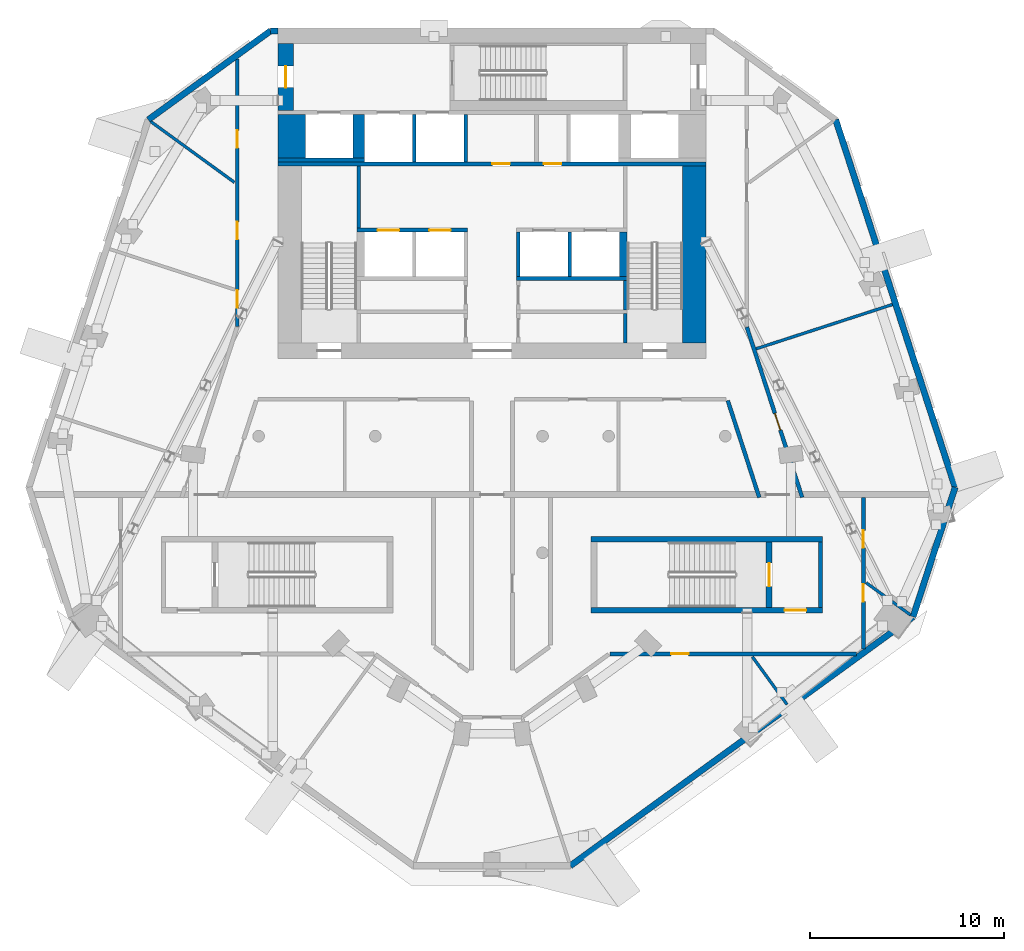
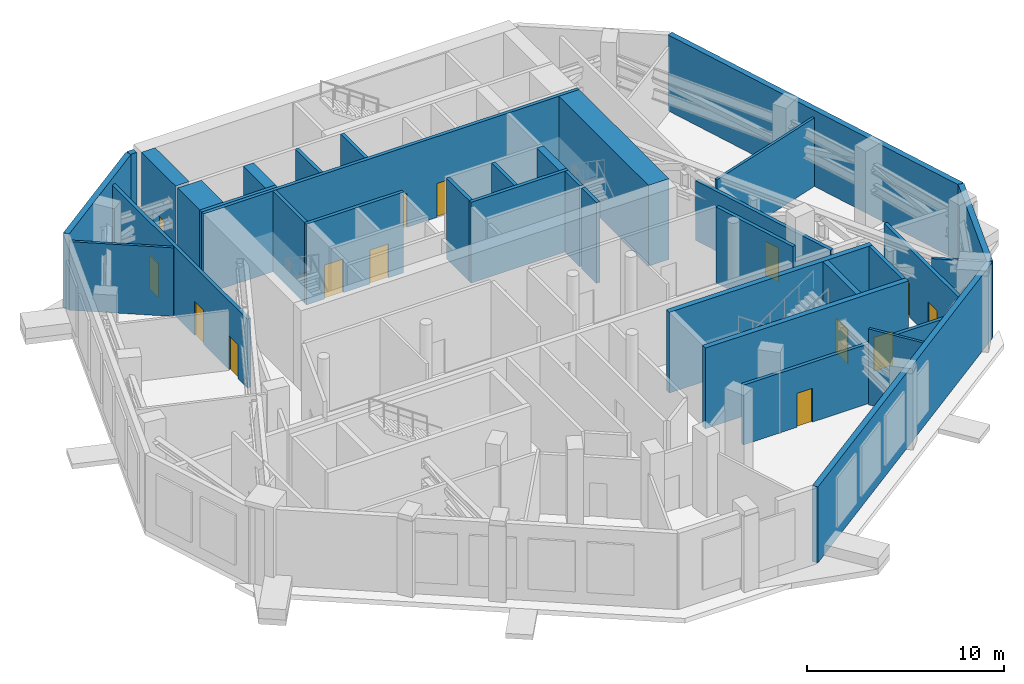
# One storey, part 9 of 16: 34 walls, 14 doors, 14 openings.
"""IFC4 building model written with IfcOpenShell, lengths in metres."""

from ifc_helpers import new_model, si_unit, direction, frame, frame_2d, origin, place, context, subcontext, project, spatial, rectangle, extrude, material, layer, layer_set, type_object, element, fill, save


model = new_model("IFC4")

# Units and contexts
model_context = context("Model", 3, precision=1e-05, world=origin(), true_north=direction((0.0, 1.0)))
body_context = subcontext(model_context, "Body", "Model", "MODEL_VIEW")
ifc_project = project(units=[si_unit("LENGTHUNIT", "METRE"), si_unit("AREAUNIT", "SQUARE_METRE"), si_unit("VOLUMEUNIT", "CUBIC_METRE"), si_unit("PLANEANGLEUNIT", "RADIAN"), si_unit("MASSUNIT", "GRAM", prefix="KILO")], contexts=[model_context])

# Site, building, storey
site_placement = place(None, origin())
site = spatial("IfcSite", under=ifc_project, at=site_placement, CompositionType="ELEMENT")
building_placement = place(site_placement, origin())
building = spatial("IfcBuilding", under=site, at=building_placement, Name="White Candle Pilgrim Tower", CompositionType="ELEMENT")
storey_placement = place(building_placement, frame((0.0, 0.0, 243.300048828125)))
storey = spatial("IfcBuildingStorey", under=building, at=storey_placement, Name="L57", CompositionType="ELEMENT", Elevation=243.300048828125)

# Walls
ifc_material_1 = material(Name="Concrete C50/60", Category="concrete")
ifc_layer_1 = layer(ifc_material_1, 1.39990234375)
ifc_layer_set_1 = layer_set([ifc_layer_1], Name="Core wall 1400 mm Concrete C50/60")
wall_type_1 = type_object("IfcWallType", Name="Core wall 1400 mm Concrete C50/60", PredefinedType="SHEAR", material=ifc_layer_set_1)
wall_1_placement = place(storey_placement, frame((59.699951171875, 81.300048828125, 0.0), z_axis=(0.0, 0.0, 1.0), x_axis=(0.0, 1.0, 0.0)))
element("IfcWall", 1, at=wall_1_placement, inside=storey, type_object=wall_type_1, Name="WL-L57-C43", PredefinedType="SHEAR", context=body_context, shape_type="SweptSolid", body=[
    extrude(rectangle(XDim=2.25, YDim=1.39990234375, at=frame_2d((1.125, 0.0))), origin(), (0.0, 0.0, 1.0), 5.0),
])
ifc_layer_2 = layer(ifc_material_1, 0.199951171875)
ifc_layer_set_2 = layer_set([ifc_layer_2], Name="Core wall 200 mm Concrete C50/60")
wall_type_2 = type_object("IfcWallType", Name="Core wall 200 mm Concrete C50/60", PredefinedType="SHEAR", material=ifc_layer_set_2)
wall_2_placement = place(storey_placement, frame((86.89990234375, 58.199951171875, 0.0), z_axis=(0.0, 0.0, 1.0), x_axis=(0.0, 1.0, 0.0)))
element("IfcWall", 2, at=wall_2_placement, inside=storey, type_object=wall_type_2, Name="WL-L57-C08", PredefinedType="SHEAR", context=body_context, shape_type="SweptSolid", body=[
    extrude(rectangle(XDim=3.35009765625, YDim=0.199951171875, at=frame_2d((1.675048828125, 0.0))), origin(), (0.0, 0.0, 1.0), 5.0),
])
wall_3_placement = place(storey_placement, frame((59.0, 81.199951171875, 0.0), z_axis=(0.0, 0.0, 1.0), x_axis=(1.0, 0.0, 0.0)))
element("IfcWall", 3, at=wall_3_placement, inside=storey, type_object=wall_type_2, Name="WL-L57-C37", PredefinedType="SHEAR", context=body_context, shape_type="SweptSolid", body=[
    extrude(rectangle(XDim=4.449951171875, YDim=0.199951171875, at=frame_2d((2.22509765625, 0.0))), origin(), (0.0, 0.0, 1.0), 5.0),
])

# Wall, opening, door
ifc_layer_3 = layer(ifc_material_1, 0.800048828125)
ifc_layer_set_3 = layer_set([ifc_layer_3], Name="Core wall 800 mm Concrete C50/60")
wall_type_3 = type_object("IfcWallType", Name="Core wall 800 mm Concrete C50/60", PredefinedType="SHEAR", material=ifc_layer_set_3)
wall_4_placement = place(storey_placement, frame((59.39990234375, 83.75, 0.0), z_axis=(0.0, 0.0, 1.0), x_axis=(0.0, 1.0, 0.0)))
wall_4 = element("IfcWall", 4, at=wall_4_placement, inside=storey, type_object=wall_type_3, Name="WL-L57-C48", PredefinedType="SHEAR", context=body_context, shape_type="SweptSolid", body=[
    extrude(rectangle(XDim=3.449951171875, YDim=0.800048828125, at=frame_2d((1.72509765625, 0.0))), origin(), (0.0, 0.0, 1.0), 5.0),
])
opening_1_placement = place(wall_4_placement, frame((1.175048828125, 0.0, 0.0)))
opening_1 = element("IfcOpeningElement", 5, at=opening_1_placement, cuts=wall_4, Name="Opening L57-009", PredefinedType="OPENING", context=body_context, shape_type="SweptSolid", body=[
    extrude(rectangle(XDim=1.10009765625, YDim=2.10009765625, at=frame_2d((0.550048828125, 1.050048828125))), frame((0.0, 0.409912109375, 0.0), z_axis=(0.0, -1.0, 0.0), x_axis=(1.0, 0.0, 0.0)), (0.0, 0.0, 1.0), 0.820068359375),
])
ifc_material_2 = material(Name="Steel door leaf", Category="steel")
door_type_1 = type_object("IfcDoorType", Name="Fire door 1100 x 2100 EI 60", OperationType="NOTDEFINED", PredefinedType="DOOR", material=ifc_material_2)
door_1_placement = place(opening_1_placement, origin())
door_1 = element("IfcDoor", 6, at=door_1_placement, inside=storey, type_object=door_type_1, Name="Door L57-009", OperationType="SINGLE_SWING_LEFT", OverallHeight=2.10009765625, OverallWidth=1.10009765625, PredefinedType="DOOR", context=body_context, shape_type="SweptSolid", body=[
    extrude(rectangle(XDim=1.10009765625, YDim=2.10009765625, at=frame_2d((0.550048828125, 1.050048828125))), frame((0.0, 0.02490234375, 0.0), z_axis=(0.0, -1.0, 0.0), x_axis=(1.0, 0.0, 0.0)), (0.0, 0.0, 1.0), 0.050048828125),
])
fill(opening_1, door_1)

# Wall, openings, doors
ifc_material_3 = material(Name="Gypsum board on steel studs", Category="steel")
ifc_layer_4 = layer(ifc_material_3, 0.199951171875)
ifc_layer_set_4 = layer_set([ifc_layer_4], Name="Corridor wall 200 mm EI 45")
wall_type_4 = type_object("IfcWallType", Name="Corridor wall 200 mm EI 45", PredefinedType="PARTITIONING", material=ifc_layer_set_4)
wall_5_placement = place(storey_placement, frame((56.89990234375, 72.640869140625, 0.0), z_axis=(0.0, 0.0, 1.0), x_axis=(0.0, 1.0, 0.0)))
wall_5 = element("IfcWall", 7, at=wall_5_placement, inside=storey, type_object=wall_type_4, Name="WL-L57-P003", PredefinedType="PARTITIONING", context=body_context, shape_type="SweptSolid", body=[
    extrude(rectangle(XDim=13.75537109375, YDim=0.199951171875, at=frame_2d((6.877685546875, 0.0))), origin(), (0.0, 0.0, 1.0), 4.25),
])
opening_2_placement = place(wall_5_placement, frame((0.9755859375, 0.0, 0.0)))
opening_2 = element("IfcOpeningElement", 8, at=opening_2_placement, cuts=wall_5, Name="Opening L57-112", PredefinedType="OPENING", context=body_context, shape_type="SweptSolid", body=[
    extrude(rectangle(XDim=0.89990234375, YDim=2.10009765625, at=frame_2d((0.449951171875, 1.050048828125))), frame((0.0, 0.10986328125, 0.0), z_axis=(0.0, -1.0, 0.0), x_axis=(1.0, 0.0, 0.0)), (0.0, 0.0, 1.0), 0.219970703125),
])
opening_3_placement = place(wall_5_placement, frame((4.476318359375, 0.0, 0.0)))
opening_3 = element("IfcOpeningElement", 9, at=opening_3_placement, cuts=wall_5, Name="Opening L57-113", PredefinedType="OPENING", context=body_context, shape_type="SweptSolid", body=[
    extrude(rectangle(XDim=0.89990234375, YDim=2.10009765625, at=frame_2d((0.449951171875, 1.050048828125))), frame((0.0, 0.10986328125, 0.0), z_axis=(0.0, -1.0, 0.0), x_axis=(1.0, 0.0, 0.0)), (0.0, 0.0, 1.0), 0.219970703125),
])
opening_4_placement = place(wall_5_placement, frame((9.1787109375, 0.0, 0.0)))
opening_4 = element("IfcOpeningElement", 10, at=opening_4_placement, cuts=wall_5, Name="Opening L57-114", PredefinedType="OPENING", context=body_context, shape_type="SweptSolid", body=[
    extrude(rectangle(XDim=0.89990234375, YDim=2.10009765625, at=frame_2d((0.449951171875, 1.050048828125))), frame((0.0, 0.10986328125, 0.0), z_axis=(0.0, -1.0, 0.0), x_axis=(1.0, 0.0, 0.0)), (0.0, 0.0, 1.0), 0.219970703125),
])
door_type_2 = type_object("IfcDoorType", Name="Fire door 900 x 2100 EI 30", OperationType="NOTDEFINED", PredefinedType="DOOR", material=ifc_material_2)
door_2_placement = place(opening_2_placement, origin())
door_2 = element("IfcDoor", 11, at=door_2_placement, inside=storey, type_object=door_type_2, Name="Door L57-112", OperationType="SINGLE_SWING_RIGHT", OverallHeight=2.10009765625, OverallWidth=0.89990234375, PredefinedType="DOOR", context=body_context, shape_type="SweptSolid", body=[
    extrude(rectangle(XDim=0.89990234375, YDim=2.10009765625, at=frame_2d((0.449951171875, 1.050048828125))), frame((0.0, 0.02490234375, 0.0), z_axis=(0.0, -1.0, 0.0), x_axis=(1.0, 0.0, 0.0)), (0.0, 0.0, 1.0), 0.050048828125),
])
fill(opening_2, door_2)
door_3_placement = place(opening_3_placement, origin())
door_3 = element("IfcDoor", 12, at=door_3_placement, inside=storey, type_object=door_type_2, Name="Door L57-113", OperationType="SINGLE_SWING_LEFT", OverallHeight=2.10009765625, OverallWidth=0.89990234375, PredefinedType="DOOR", context=body_context, shape_type="SweptSolid", body=[
    extrude(rectangle(XDim=0.89990234375, YDim=2.10009765625, at=frame_2d((0.449951171875, 1.050048828125))), frame((0.0, 0.02490234375, 0.0), z_axis=(0.0, -1.0, 0.0), x_axis=(1.0, 0.0, 0.0)), (0.0, 0.0, 1.0), 0.050048828125),
])
fill(opening_3, door_3)
door_4_placement = place(opening_4_placement, origin())
door_4 = element("IfcDoor", 13, at=door_4_placement, inside=storey, type_object=door_type_2, Name="Door L57-114", OperationType="SINGLE_SWING_RIGHT", OverallHeight=2.10009765625, OverallWidth=0.89990234375, PredefinedType="DOOR", context=body_context, shape_type="SweptSolid", body=[
    extrude(rectangle(XDim=0.89990234375, YDim=2.10009765625, at=frame_2d((0.449951171875, 1.050048828125))), frame((0.0, 0.02490234375, 0.0), z_axis=(0.0, -1.0, 0.0), x_axis=(1.0, 0.0, 0.0)), (0.0, 0.0, 1.0), 0.050048828125),
])
fill(opening_4, door_4)

# Wall, opening, door
wall_6_placement = place(storey_placement, frame((83.10498046875, 72.610107421875, 0.0), z_axis=(0.0, 0.0, 1.0), x_axis=(0.309006358617, -0.951059971997, 0.0)))
wall_6 = element("IfcWall", 14, at=wall_6_placement, inside=storey, type_object=wall_type_4, Name="WL-L57-P005", PredefinedType="PARTITIONING", context=body_context, shape_type="SweptSolid", body=[
    extrude(rectangle(XDim=9.210693359375, YDim=0.199951171875, at=frame_2d((4.60546875, 0.0))), origin(), (0.0, 0.0, 1.0), 3.699951171875),
])
opening_5_placement = place(wall_6_placement, frame((4.670654296875, 0.0, 0.0)))
opening_5 = element("IfcOpeningElement", 15, at=opening_5_placement, cuts=wall_6, Name="Opening L57-117", PredefinedType="OPENING", context=body_context, shape_type="SweptSolid", body=[
    extrude(rectangle(XDim=0.89990234375, YDim=2.10009765625, at=frame_2d((0.449951171875, 1.050048828125))), frame((0.0, 0.10986328125, 0.0), z_axis=(0.0, -1.0, 0.0), x_axis=(1.0, 0.0, 0.0)), (0.0, 0.0, 1.0), 0.219970703125),
])
door_5_placement = place(opening_5_placement, origin())
door_5 = element("IfcDoor", 16, at=door_5_placement, inside=storey, type_object=door_type_2, Name="Door L57-117", OperationType="SINGLE_SWING_LEFT", OverallHeight=2.10009765625, OverallWidth=0.89990234375, PredefinedType="DOOR", context=body_context, shape_type="SweptSolid", body=[
    extrude(rectangle(XDim=0.89990234375, YDim=2.10009765625, at=frame_2d((0.449951171875, 1.050048828125))), frame((0.0, 0.02490234375, 0.0), z_axis=(0.0, -1.0, 0.0), x_axis=(1.0, 0.0, 0.0)), (0.0, 0.0, 1.0), 0.050048828125),
])
fill(opening_5, door_5)

# Wall, openings, doors
wall_7_placement = place(storey_placement, frame((89.10009765625, 63.85009765625, 0.0), z_axis=(0.0, 0.0, 1.0), x_axis=(0.0, -1.0, 0.0)))
wall_7 = element("IfcWall", 17, at=wall_7_placement, inside=storey, type_object=wall_type_4, Name="WL-L57-P006", PredefinedType="PARTITIONING", context=body_context, shape_type="SweptSolid", body=[
    extrude(rectangle(XDim=7.7958984375, YDim=0.199951171875, at=frame_2d((3.89794921875, 0.0))), origin(), (0.0, 0.0, 1.0), 4.25),
])
opening_6_placement = place(wall_7_placement, frame((1.6923828125, 0.0, 0.0)))
opening_6 = element("IfcOpeningElement", 18, at=opening_6_placement, cuts=wall_7, Name="Opening L57-106", PredefinedType="OPENING", context=body_context, shape_type="SweptSolid", body=[
    extrude(rectangle(XDim=0.89990234375, YDim=2.10009765625, at=frame_2d((0.449951171875, 1.050048828125))), frame((0.0, 0.10986328125, 0.0), z_axis=(0.0, -1.0, 0.0), x_axis=(1.0, 0.0, 0.0)), (0.0, 0.0, 1.0), 0.219970703125),
])
opening_7_placement = place(wall_7_placement, frame((4.45703125, 0.0, 0.0)))
opening_7 = element("IfcOpeningElement", 19, at=opening_7_placement, cuts=wall_7, Name="Opening L57-118", PredefinedType="OPENING", context=body_context, shape_type="SweptSolid", body=[
    extrude(rectangle(XDim=0.89990234375, YDim=2.10009765625, at=frame_2d((0.449951171875, 1.050048828125))), frame((0.0, 0.10986328125, 0.0), z_axis=(0.0, -1.0, 0.0), x_axis=(1.0, 0.0, 0.0)), (0.0, 0.0, 1.0), 0.219970703125),
])
door_6_placement = place(opening_6_placement, origin())
door_6 = element("IfcDoor", 20, at=door_6_placement, inside=storey, type_object=door_type_2, Name="Door L57-106", OperationType="SINGLE_SWING_RIGHT", OverallHeight=2.10009765625, OverallWidth=0.89990234375, PredefinedType="DOOR", context=body_context, shape_type="SweptSolid", body=[
    extrude(rectangle(XDim=0.89990234375, YDim=2.10009765625, at=frame_2d((0.449951171875, 1.050048828125))), frame((0.0, 0.02490234375, 0.0), z_axis=(0.0, -1.0, 0.0), x_axis=(1.0, 0.0, 0.0)), (0.0, 0.0, 1.0), 0.050048828125),
])
fill(opening_6, door_6)
door_7_placement = place(opening_7_placement, origin())
door_7 = element("IfcDoor", 21, at=door_7_placement, inside=storey, type_object=door_type_2, Name="Door L57-118", OperationType="SINGLE_SWING_RIGHT", OverallHeight=2.10009765625, OverallWidth=0.89990234375, PredefinedType="DOOR", context=body_context, shape_type="SweptSolid", body=[
    extrude(rectangle(XDim=0.89990234375, YDim=2.10009765625, at=frame_2d((0.449951171875, 1.050048828125))), frame((0.0, 0.02490234375, 0.0), z_axis=(0.0, -1.0, 0.0), x_axis=(1.0, 0.0, 0.0)), (0.0, 0.0, 1.0), 0.050048828125),
])
fill(opening_7, door_7)

# Wall, opening, door
wall_8_placement = place(storey_placement, frame((88.750244140625, 55.800048828125, 0.0), z_axis=(0.0, 0.0, 1.0), x_axis=(-1.0, 0.0, 0.0)))
wall_8 = element("IfcWall", 22, at=wall_8_placement, inside=storey, type_object=wall_type_4, Name="WL-L57-P007", PredefinedType="PARTITIONING", context=body_context, shape_type="SweptSolid", body=[
    extrude(rectangle(XDim=12.693115234375, YDim=0.199951171875, at=frame_2d((6.3466796875, 0.0))), origin(), (0.0, 0.0, 1.0), 3.699951171875),
])
opening_8_placement = place(wall_8_placement, frame((8.64501953125, 0.0, 0.0)))
opening_8 = element("IfcOpeningElement", 23, at=opening_8_placement, cuts=wall_8, Name="Opening L57-105", PredefinedType="OPENING", context=body_context, shape_type="SweptSolid", body=[
    extrude(rectangle(XDim=0.89990234375, YDim=2.10009765625, at=frame_2d((0.449951171875, 1.050048828125))), frame((0.0, 0.10986328125, 0.0), z_axis=(0.0, -1.0, 0.0), x_axis=(1.0, 0.0, 0.0)), (0.0, 0.0, 1.0), 0.219970703125),
])
door_8_placement = place(opening_8_placement, origin())
door_8 = element("IfcDoor", 24, at=door_8_placement, inside=storey, type_object=door_type_2, Name="Door L57-105", OperationType="SINGLE_SWING_LEFT", OverallHeight=2.10009765625, OverallWidth=0.89990234375, PredefinedType="DOOR", context=body_context, shape_type="SweptSolid", body=[
    extrude(rectangle(XDim=0.89990234375, YDim=2.10009765625, at=frame_2d((0.449951171875, 1.050048828125))), frame((0.0, 0.02490234375, 0.0), z_axis=(0.0, -1.0, 0.0), x_axis=(1.0, 0.0, 0.0)), (0.0, 0.0, 1.0), 0.050048828125),
])
fill(opening_8, door_8)

# Walls
wall_9_placement = place(storey_placement, frame((83.7431640625, 63.85009765625, 0.0), z_axis=(0.0, 0.0, 1.0), x_axis=(-0.309030204086, 0.951052224099, 0.0)))
element("IfcWall", 25, at=wall_9_placement, inside=storey, type_object=wall_type_4, Name="WL-L57-P018", PredefinedType="PARTITIONING", context=body_context, shape_type="SweptSolid", body=[
    extrude(rectangle(XDim=5.237060546875, YDim=0.199951171875, at=frame_2d((2.61865234375, 0.0))), origin(), (0.0, 0.0, 1.0), 4.699951171875),
])
ifc_material_4 = material(Name="Precast concrete C40/50", Category="concrete")
ifc_layer_5 = layer(ifc_material_4, 0.320068359375)
ifc_layer_set_5 = layer_set([ifc_layer_5], Name="Facade wall EW2 precast concrete C40/50 plant wall behind louvres")
wall_type_5 = type_object("IfcWallType", Name="Facade wall EW2 precast concrete C40/50 plant wall behind louvres", PredefinedType="SOLIDWALL", material=ifc_layer_set_5)
wall_10_placement = place(storey_placement, frame((74.029052734375, 44.90673828125, 0.0), z_axis=(0.0, 0.0, 1.0), x_axis=(0.809019511949, 0.587781787133, 0.0)))
element("IfcWall", 26, at=wall_10_placement, inside=storey, type_object=wall_type_5, Name="Facade wall L57 SE", PredefinedType="SOLIDWALL", context=body_context, shape_type="SweptSolid", body=[
    extrude(rectangle(XDim=21.783447265625, YDim=0.320068359375, at=frame_2d((10.8916015625, 0.0))), origin(), (0.0, 0.0, 1.0), 4.699951171875),
])
wall_11_placement = place(storey_placement, frame((91.65234375, 57.710693359375, 0.0), z_axis=(0.0, 0.0, 1.0), x_axis=(0.309010371736, 0.951058668095, 0.0)))
element("IfcWall", 27, at=wall_11_placement, inside=storey, type_object=wall_type_5, Name="Facade wall L57 E chamfer", PredefinedType="SOLIDWALL", context=body_context, shape_type="SweptSolid", body=[
    extrude(rectangle(XDim=7.000732421875, YDim=0.320068359375, at=frame_2d((3.50048828125, 0.0))), origin(), (0.0, 0.0, 1.0), 4.699951171875),
])
wall_12_placement = place(storey_placement, frame((93.815673828125, 64.368896484375, 0.0), z_axis=(0.0, 0.0, 1.0), x_axis=(-0.309006630814, 0.951059883558, 0.0)))
element("IfcWall", 28, at=wall_12_placement, inside=storey, type_object=wall_type_5, Name="Facade wall L57 ENE", PredefinedType="SOLIDWALL", context=body_context, shape_type="SweptSolid", body=[
    extrude(rectangle(XDim=19.87451171875, YDim=0.320068359375, at=frame_2d((9.937255859375, 0.0))), origin(), (0.0, 0.0, 1.0), 4.699951171875),
])
wall_13_placement = place(storey_placement, frame((59.0, 87.840087890625, 0.0), z_axis=(0.0, 0.0, 1.0), x_axis=(-1.0, 0.0, 0.0)))
element("IfcWall", 29, at=wall_13_placement, inside=storey, type_object=wall_type_5, Name="Facade wall L57 N", PredefinedType="SOLIDWALL", context=body_context, shape_type="SweptSolid", body=[
    extrude(rectangle(XDim=0.385009765625, YDim=0.320068359375, at=frame_2d((0.1923828125, 0.0))), origin(), (0.0, 0.0, 1.0), 4.699951171875),
])
wall_14_placement = place(storey_placement, frame((58.614990234375, 87.840087890625, 0.0), z_axis=(0.0, 0.0, 1.0), x_axis=(-0.809023894763, -0.587775754605, 0.0)))
element("IfcWall", 30, at=wall_14_placement, inside=storey, type_object=wall_type_5, Name="Facade wall L57 NW chamfer", PredefinedType="SOLIDWALL", context=body_context, shape_type="SweptSolid", body=[
    extrude(rectangle(XDim=7.77392578125, YDim=0.320068359375, at=frame_2d((3.886962890625, 0.0))), origin(), (0.0, 0.0, 1.0), 4.699951171875),
])
ifc_layer_6 = layer(ifc_material_3, 0.14990234375)
ifc_layer_set_6 = layer_set([ifc_layer_6], Name="Partition 150 mm EI 60")
wall_type_6 = type_object("IfcWallType", Name="Partition 150 mm EI 60", PredefinedType="PARTITIONING", material=ifc_layer_set_6)
wall_15_placement = place(storey_placement, frame((52.4619140625, 83.171875, 0.0), z_axis=(0.0, 0.0, 1.0), x_axis=(0.80900452613, -0.587802412976, 0.0)))
element("IfcWall", 31, at=wall_15_placement, inside=storey, type_object=wall_type_6, Name="WL-L57-P025", PredefinedType="PARTITIONING", context=body_context, shape_type="SweptSolid", body=[
    extrude(rectangle(XDim=5.3076171875, YDim=0.14990234375, at=frame_2d((2.65380859375, 0.0))), origin(), (0.0, 0.0, 1.0), 4.25),
])
wall_16_placement = place(storey_placement, frame((91.516357421875, 57.8095703125, 0.0), z_axis=(0.0, 0.0, 1.0), x_axis=(-0.809014154956, 0.587789160397, 0.0)))
element("IfcWall", 32, at=wall_16_placement, inside=storey, type_object=wall_type_6, Name="WL-L57-P029", PredefinedType="PARTITIONING", context=body_context, shape_type="SweptSolid", body=[
    extrude(rectangle(XDim=2.80859375, YDim=0.14990234375, at=frame_2d((1.404296875, 0.0))), origin(), (0.0, 0.0, 1.0), 4.699951171875),
])
wall_17_placement = place(storey_placement, frame((85.173828125, 53.201416015625, 0.0), z_axis=(0.0, 0.0, 1.0), x_axis=(-0.587803233417, 0.809003930018, 0.0)))
element("IfcWall", 33, at=wall_17_placement, inside=storey, type_object=wall_type_6, Name="WL-L57-P034", PredefinedType="PARTITIONING", context=body_context, shape_type="SweptSolid", body=[
    extrude(rectangle(XDim=3.0341796875, YDim=0.14990234375, at=frame_2d((1.51708984375, 0.0))), origin(), (0.0, 0.0, 1.0), 4.699951171875),
])
wall_18_placement = place(storey_placement, frame((90.5927734375, 73.770263671875, 0.0), z_axis=(0.0, 0.0, 1.0), x_axis=(-0.951057647459, -0.309013512989, 0.0)))
element("IfcWall", 34, at=wall_18_placement, inside=storey, type_object=wall_type_6, Name="WL-L57-P035", PredefinedType="PARTITIONING", context=body_context, shape_type="SweptSolid", body=[
    extrude(rectangle(XDim=7.3798828125, YDim=0.14990234375, at=frame_2d((3.68994140625, 0.0))), origin(), (0.0, 0.0, 1.0), 4.25),
])
ifc_layer_7 = layer(ifc_material_1, 0.199951171875)
ifc_layer_set_7 = layer_set([ifc_layer_7], Name="Shaft wall 200 mm Concrete C50/60")
wall_type_7 = type_object("IfcWallType", Name="Shaft wall 200 mm Concrete C50/60", PredefinedType="SHEAR", material=ifc_layer_set_7)
for number, where, z_axis, x_axis, name in (
    (35, (71.35009765625, 75.199951171875, 0.0), (0.0, 0.0, 1.0), (0.0, 1.0, 0.0), "WL-L57-C29"),
    (36, (74.0, 75.199951171875, 0.0), (0.0, 0.0, 1.0), (0.0, 1.0, 0.0), "WL-L57-C30"),
):
    element("IfcWall", number, at=place(storey_placement, frame(where, z_axis=z_axis, x_axis=x_axis)), inside=storey, type_object=wall_type_7, Name=name, PredefinedType="SHEAR", context=body_context, shape_type="SweptSolid", body=[
        extrude(rectangle(XDim=2.300048828125, YDim=0.199951171875, at=frame_2d((1.14990234375, 0.0))), origin(), (0.0, 0.0, 1.0), 5.0),
    ])
for number, where, z_axis, x_axis, name in (
    (37, (66.0, 81.10009765625, 0.0), (0.0, 0.0, 1.0), (0.0, 1.0, 0.0), "WL-L57-C38"),
    (38, (68.64990234375, 81.10009765625, 0.0), (0.0, 0.0, 1.0), (0.0, 1.0, 0.0), "WL-L57-C39"),
):
    element("IfcWall", number, at=place(storey_placement, frame(where, z_axis=z_axis, x_axis=x_axis)), inside=storey, type_object=wall_type_7, Name=name, PredefinedType="SHEAR", context=body_context, shape_type="SweptSolid", body=[
        extrude(rectangle(XDim=2.449951171875, YDim=0.199951171875, at=frame_2d((1.22509765625, 0.0))), origin(), (0.0, 0.0, 1.0), 5.0),
    ])
ifc_layer_8 = layer(ifc_material_1, 0.60009765625)
ifc_layer_set_8 = layer_set([ifc_layer_8], Name="Shaft wall 600 mm Concrete C50/60")
wall_type_8 = type_object("IfcWallType", Name="Shaft wall 600 mm Concrete C50/60", PredefinedType="SHEAR", material=ifc_layer_set_8)
wall_19_placement = place(storey_placement, frame((63.14990234375, 81.300048828125, 0.0), z_axis=(0.0, 0.0, 1.0), x_axis=(0.0, 1.0, 0.0)))
element("IfcWall", 39, at=wall_19_placement, inside=storey, type_object=wall_type_8, Name="WL-L57-C44", PredefinedType="SHEAR", context=body_context, shape_type="SweptSolid", body=[
    extrude(rectangle(XDim=2.25, YDim=0.60009765625, at=frame_2d((1.125, 0.0))), origin(), (0.0, 0.0, 1.0), 5.0),
])
ifc_layer_9 = layer(ifc_material_1, 1.199951171875)
ifc_layer_set_9 = layer_set([ifc_layer_9], Name="Stair shaft wall 1200 mm Concrete C50/60")
wall_type_9 = type_object("IfcWallType", Name="Stair shaft wall 1200 mm Concrete C50/60", PredefinedType="SHEAR", material=ifc_layer_set_9)
wall_20_placement = place(storey_placement, frame((80.39990234375, 71.800048828125, 0.0), z_axis=(0.0, 0.0, 1.0), x_axis=(0.0, 1.0, 0.0)))
element("IfcWall", 40, at=wall_20_placement, inside=storey, type_object=wall_type_9, Name="WL-L57-C17", PredefinedType="SHEAR", context=body_context, shape_type="SweptSolid", body=[
    extrude(rectangle(XDim=9.099853515625, YDim=1.199951171875, at=frame_2d((4.5498046875, 0.0))), origin(), (0.0, 0.0, 1.0), 5.0),
])
ifc_layer_10 = layer(ifc_material_1, 0.199951171875)
ifc_layer_set_10 = layer_set([ifc_layer_10], Name="Stair shaft wall 200 mm Concrete C50/60")
wall_type_10 = type_object("IfcWallType", Name="Stair shaft wall 200 mm Concrete C50/60", PredefinedType="SHEAR", material=ifc_layer_set_10)
for number, where, z_axis, x_axis, name in (
    (41, (76.85009765625, 71.800048828125, 0.0), (0.0, 0.0, 1.0), (0.0, 1.0, 0.0), "WL-L57-C16"),
    (42, (76.85009765625, 73.5, 0.0), (0.0, 0.0, 1.0), (0.0, 1.0, 0.0), "WL-L57-C23"),
):
    element("IfcWall", number, at=place(storey_placement, frame(where, z_axis=z_axis, x_axis=x_axis)), inside=storey, type_object=wall_type_10, Name=name, PredefinedType="SHEAR", context=body_context, shape_type="SweptSolid", body=[
        extrude(rectangle(XDim=1.5, YDim=0.199951171875, at=frame_2d((0.75, 0.0))), origin(), (0.0, 0.0, 1.0), 5.0),
    ])
wall_21_placement = place(storey_placement, frame((71.25, 75.10009765625, 0.0), z_axis=(0.0, 0.0, 1.0), x_axis=(1.0, 0.0, 0.0)))
element("IfcWall", 43, at=wall_21_placement, inside=storey, type_object=wall_type_10, Name="WL-L57-C25", PredefinedType="SHEAR", context=body_context, shape_type="SweptSolid", body=[
    extrude(rectangle(XDim=5.699951171875, YDim=0.199951171875, at=frame_2d((2.85009765625, 0.0))), origin(), (0.0, 0.0, 1.0), 5.0),
])

# Wall, openings, doors
wall_22_placement = place(storey_placement, frame((63.050048828125, 77.60009765625, 0.0), z_axis=(0.0, 0.0, 1.0), x_axis=(1.0, 0.0, 0.0)))
wall_22 = element("IfcWall", 44, at=wall_22_placement, inside=storey, type_object=wall_type_10, Name="WL-L57-C32", PredefinedType="SHEAR", context=body_context, shape_type="SweptSolid", body=[
    extrude(rectangle(XDim=5.699951171875, YDim=0.199951171875, at=frame_2d((2.85009765625, 0.0))), origin(), (0.0, 0.0, 1.0), 5.0),
])
opening_9_placement = place(wall_22_placement, frame((1.074951171875, 0.0, 0.0)))
opening_9 = element("IfcOpeningElement", 45, at=opening_9_placement, cuts=wall_22, Name="Opening L57-015", PredefinedType="OPENING", context=body_context, shape_type="SweptSolid", body=[
    extrude(rectangle(XDim=1.10009765625, YDim=2.10009765625, at=frame_2d((0.550048828125, 1.050048828125))), frame((0.0, 0.10986328125, 0.0), z_axis=(0.0, -1.0, 0.0), x_axis=(1.0, 0.0, 0.0)), (0.0, 0.0, 1.0), 0.219970703125),
])
opening_10_placement = place(wall_22_placement, frame((3.72509765625, 0.0, 0.0)))
opening_10 = element("IfcOpeningElement", 46, at=opening_10_placement, cuts=wall_22, Name="Opening L57-016", PredefinedType="OPENING", context=body_context, shape_type="SweptSolid", body=[
    extrude(rectangle(XDim=1.10009765625, YDim=2.10009765625, at=frame_2d((0.550048828125, 1.050048828125))), frame((0.0, 0.10986328125, 0.0), z_axis=(0.0, -1.0, 0.0), x_axis=(1.0, 0.0, 0.0)), (0.0, 0.0, 1.0), 0.219970703125),
])
ifc_material_5 = material(Name="Stainless steel", Category="steel")
door_type_3 = type_object("IfcDoorType", Name="Lift landing door 1100 x 2100 E 60", OperationType="DOUBLE_DOOR_SLIDING", PredefinedType="DOOR", material=ifc_material_5)
door_9_placement = place(opening_9_placement, origin())
door_9 = element("IfcDoor", 47, at=door_9_placement, inside=storey, type_object=door_type_3, Name="Door L57-015", OperationType="DOUBLE_DOOR_SLIDING", OverallHeight=2.10009765625, OverallWidth=1.10009765625, PredefinedType="DOOR", context=body_context, shape_type="SweptSolid", body=[
    extrude(rectangle(XDim=1.10009765625, YDim=2.10009765625, at=frame_2d((0.550048828125, 1.050048828125))), frame((0.0, 0.02490234375, 0.0), z_axis=(0.0, -1.0, 0.0), x_axis=(1.0, 0.0, 0.0)), (0.0, 0.0, 1.0), 0.050048828125),
])
fill(opening_9, door_9)
door_10_placement = place(opening_10_placement, origin())
door_10 = element("IfcDoor", 48, at=door_10_placement, inside=storey, type_object=door_type_3, Name="Door L57-016", OperationType="DOUBLE_DOOR_SLIDING", OverallHeight=2.10009765625, OverallWidth=1.10009765625, PredefinedType="DOOR", context=body_context, shape_type="SweptSolid", body=[
    extrude(rectangle(XDim=1.10009765625, YDim=2.10009765625, at=frame_2d((0.550048828125, 1.050048828125))), frame((0.0, 0.02490234375, 0.0), z_axis=(0.0, -1.0, 0.0), x_axis=(1.0, 0.0, 0.0)), (0.0, 0.0, 1.0), 0.050048828125),
])
fill(opening_10, door_10)

# Wall
wall_23_placement = place(storey_placement, frame((63.14990234375, 77.699951171875, 0.0), z_axis=(0.0, 0.0, 1.0), x_axis=(0.0, 1.0, 0.0)))
element("IfcWall", 49, at=wall_23_placement, inside=storey, type_object=wall_type_10, Name="WL-L57-C34", PredefinedType="SHEAR", context=body_context, shape_type="SweptSolid", body=[
    extrude(rectangle(XDim=3.199951171875, YDim=0.199951171875, at=frame_2d((1.60009765625, 0.0))), origin(), (0.0, 0.0, 1.0), 5.0),
])

# Wall, openings, doors
wall_24_placement = place(storey_placement, frame((59.0, 81.0, 0.0), z_axis=(0.0, 0.0, 1.0), x_axis=(1.0, 0.0, 0.0)))
wall_24 = element("IfcWall", 50, at=wall_24_placement, inside=storey, type_object=wall_type_10, Name="WL-L57-C36", PredefinedType="SHEAR", context=body_context, shape_type="SweptSolid", body=[
    extrude(rectangle(XDim=22.0, YDim=0.199951171875, at=frame_2d((11.0, 0.0))), origin(), (0.0, 0.0, 1.0), 5.0),
])
opening_11_placement = place(wall_24_placement, frame((11.014892578125, 0.0, 0.0)))
opening_11 = element("IfcOpeningElement", 51, at=opening_11_placement, cuts=wall_24, Name="Opening L57-023", PredefinedType="OPENING", context=body_context, shape_type="SweptSolid", body=[
    extrude(rectangle(XDim=0.89990234375, YDim=2.10009765625, at=frame_2d((0.449951171875, 1.050048828125))), frame((0.0, 0.10986328125, 0.0), z_axis=(0.0, -1.0, 0.0), x_axis=(1.0, 0.0, 0.0)), (0.0, 0.0, 1.0), 0.219970703125),
])
opening_12_placement = place(wall_24_placement, frame((13.6650390625, 0.0, 0.0)))
opening_12 = element("IfcOpeningElement", 52, at=opening_12_placement, cuts=wall_24, Name="Opening L57-024", PredefinedType="OPENING", context=body_context, shape_type="SweptSolid", body=[
    extrude(rectangle(XDim=0.89990234375, YDim=2.10009765625, at=frame_2d((0.449951171875, 1.050048828125))), frame((0.0, 0.10986328125, 0.0), z_axis=(0.0, -1.0, 0.0), x_axis=(1.0, 0.0, 0.0)), (0.0, 0.0, 1.0), 0.219970703125),
])
door_11_placement = place(opening_11_placement, origin())
door_11 = element("IfcDoor", 53, at=door_11_placement, inside=storey, type_object=door_type_2, Name="Door L57-023", OperationType="SINGLE_SWING_LEFT", OverallHeight=2.10009765625, OverallWidth=0.89990234375, PredefinedType="DOOR", context=body_context, shape_type="SweptSolid", body=[
    extrude(rectangle(XDim=0.89990234375, YDim=2.10009765625, at=frame_2d((0.449951171875, 1.050048828125))), frame((0.0, 0.02490234375, 0.0), z_axis=(0.0, -1.0, 0.0), x_axis=(1.0, 0.0, 0.0)), (0.0, 0.0, 1.0), 0.050048828125),
])
fill(opening_11, door_11)
door_12_placement = place(opening_12_placement, origin())
door_12 = element("IfcDoor", 54, at=door_12_placement, inside=storey, type_object=door_type_2, Name="Door L57-024", OperationType="SINGLE_SWING_RIGHT", OverallHeight=2.10009765625, OverallWidth=0.89990234375, PredefinedType="DOOR", context=body_context, shape_type="SweptSolid", body=[
    extrude(rectangle(XDim=0.89990234375, YDim=2.10009765625, at=frame_2d((0.449951171875, 1.050048828125))), frame((0.0, 0.02490234375, 0.0), z_axis=(0.0, -1.0, 0.0), x_axis=(1.0, 0.0, 0.0)), (0.0, 0.0, 1.0), 0.050048828125),
])
fill(opening_12, door_12)

# Wall, opening, door
ifc_layer_11 = layer(ifc_material_1, 0.300048828125)
ifc_layer_set_11 = layer_set([ifc_layer_11], Name="Stair shaft wall 300 mm Concrete C50/60")
wall_type_11 = type_object("IfcWallType", Name="Stair shaft wall 300 mm Concrete C50/60", PredefinedType="SHEAR", material=ifc_layer_set_11)
wall_25_placement = place(storey_placement, frame((75.10009765625, 58.050048828125, 0.0), z_axis=(0.0, 0.0, 1.0), x_axis=(1.0, 0.0, 0.0)))
wall_25 = element("IfcWall", 55, at=wall_25_placement, inside=storey, type_object=wall_type_11, Name="WL-L57-C02", PredefinedType="SHEAR", context=body_context, shape_type="SweptSolid", body=[
    extrude(rectangle(XDim=11.89990234375, YDim=0.300048828125, at=frame_2d((5.949951171875, 0.0))), origin(), (0.0, 0.0, 1.0), 5.0),
])
opening_13_placement = place(wall_25_placement, frame((9.949951171875, 0.0, 0.0)))
opening_13 = element("IfcOpeningElement", 56, at=opening_13_placement, cuts=wall_25, Name="Opening L57-013", PredefinedType="OPENING", context=body_context, shape_type="SweptSolid", body=[
    extrude(rectangle(XDim=1.10009765625, YDim=2.10009765625, at=frame_2d((0.550048828125, 1.050048828125))), frame((0.0, 0.159912109375, 0.0), z_axis=(0.0, -1.0, 0.0), x_axis=(1.0, 0.0, 0.0)), (0.0, 0.0, 1.0), 0.320068359375),
])
door_13_placement = place(opening_13_placement, origin())
door_13 = element("IfcDoor", 57, at=door_13_placement, inside=storey, type_object=door_type_1, Name="Door L57-013", OperationType="SINGLE_SWING_LEFT", OverallHeight=2.10009765625, OverallWidth=1.10009765625, PredefinedType="DOOR", context=body_context, shape_type="SweptSolid", body=[
    extrude(rectangle(XDim=1.10009765625, YDim=2.10009765625, at=frame_2d((0.550048828125, 1.050048828125))), frame((0.0, 0.02490234375, 0.0), z_axis=(0.0, -1.0, 0.0), x_axis=(1.0, 0.0, 0.0)), (0.0, 0.0, 1.0), 0.050048828125),
])
fill(opening_13, door_13)

wall_26_placement = place(storey_placement, frame((84.25, 58.199951171875, 0.0), z_axis=(0.0, 0.0, 1.0), x_axis=(0.0, 1.0, 0.0)))
wall_26 = element("IfcWall", 58, at=wall_26_placement, inside=storey, type_object=wall_type_11, Name="WL-L57-C07", PredefinedType="SHEAR", context=body_context, shape_type="SweptSolid", body=[
    extrude(rectangle(XDim=3.35009765625, YDim=0.300048828125, at=frame_2d((1.675048828125, 0.0))), origin(), (0.0, 0.0, 1.0), 5.0),
])
opening_14_placement = place(wall_26_placement, frame((1.074951171875, 0.0, 0.0)))
opening_14 = element("IfcOpeningElement", 59, at=opening_14_placement, cuts=wall_26, Name="Opening L57-014", PredefinedType="OPENING", context=body_context, shape_type="SweptSolid", body=[
    extrude(rectangle(XDim=1.199951171875, YDim=2.10009765625, at=frame_2d((0.60009765625, 1.050048828125))), frame((0.0, 0.159912109375, 0.0), z_axis=(0.0, -1.0, 0.0), x_axis=(1.0, 0.0, 0.0)), (0.0, 0.0, 1.0), 0.320068359375),
])
door_type_4 = type_object("IfcDoorType", Name="Fire door 1200 x 2100 EI 60", OperationType="NOTDEFINED", PredefinedType="DOOR", material=ifc_material_2)
door_14_placement = place(opening_14_placement, origin())
door_14 = element("IfcDoor", 60, at=door_14_placement, inside=storey, type_object=door_type_4, Name="Door L57-014", OperationType="SINGLE_SWING_RIGHT", OverallHeight=2.10009765625, OverallWidth=1.199951171875, PredefinedType="DOOR", context=body_context, shape_type="SweptSolid", body=[
    extrude(rectangle(XDim=1.199951171875, YDim=2.10009765625, at=frame_2d((0.60009765625, 1.050048828125))), frame((0.0, 0.02490234375, 0.0), z_axis=(0.0, -1.0, 0.0), x_axis=(1.0, 0.0, 0.0)), (0.0, 0.0, 1.0), 0.050048828125),
])
fill(opening_14, door_14)

# Walls
wall_27_placement = place(storey_placement, frame((75.10009765625, 61.699951171875, 0.0), z_axis=(0.0, 0.0, 1.0), x_axis=(1.0, 0.0, 0.0)))
element("IfcWall", 61, at=wall_27_placement, inside=storey, type_object=wall_type_11, Name="WL-L57-C10", PredefinedType="SHEAR", context=body_context, shape_type="SweptSolid", body=[
    extrude(rectangle(XDim=11.89990234375, YDim=0.300048828125, at=frame_2d((5.949951171875, 0.0))), origin(), (0.0, 0.0, 1.0), 5.0),
])
ifc_layer_12 = layer(ifc_material_1, 0.39990234375)
ifc_layer_set_12 = layer_set([ifc_layer_12], Name="Stair shaft wall 400 mm Concrete C50/60")
wall_type_12 = type_object("IfcWallType", Name="Stair shaft wall 400 mm Concrete C50/60", PredefinedType="SHEAR", material=ifc_layer_set_12)
wall_28_placement = place(storey_placement, frame((76.75, 75.199951171875, 0.0), z_axis=(0.0, 0.0, 1.0), x_axis=(0.0, 1.0, 0.0)))
element("IfcWall", 62, at=wall_28_placement, inside=storey, type_object=wall_type_12, Name="WL-L57-C31", PredefinedType="SHEAR", context=body_context, shape_type="SweptSolid", body=[
    extrude(rectangle(XDim=2.300048828125, YDim=0.39990234375, at=frame_2d((1.14990234375, 0.0))), origin(), (0.0, 0.0, 1.0), 5.0),
])

save(model, "model.ifc")
